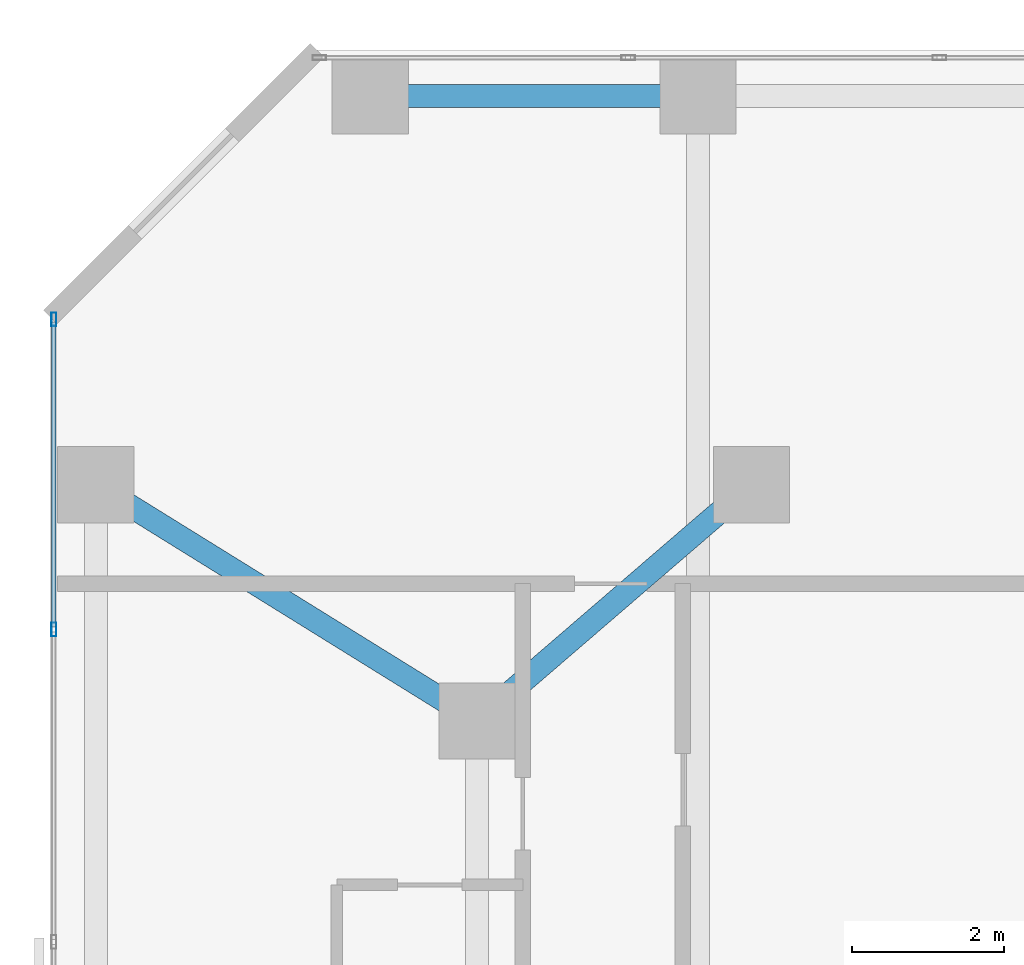
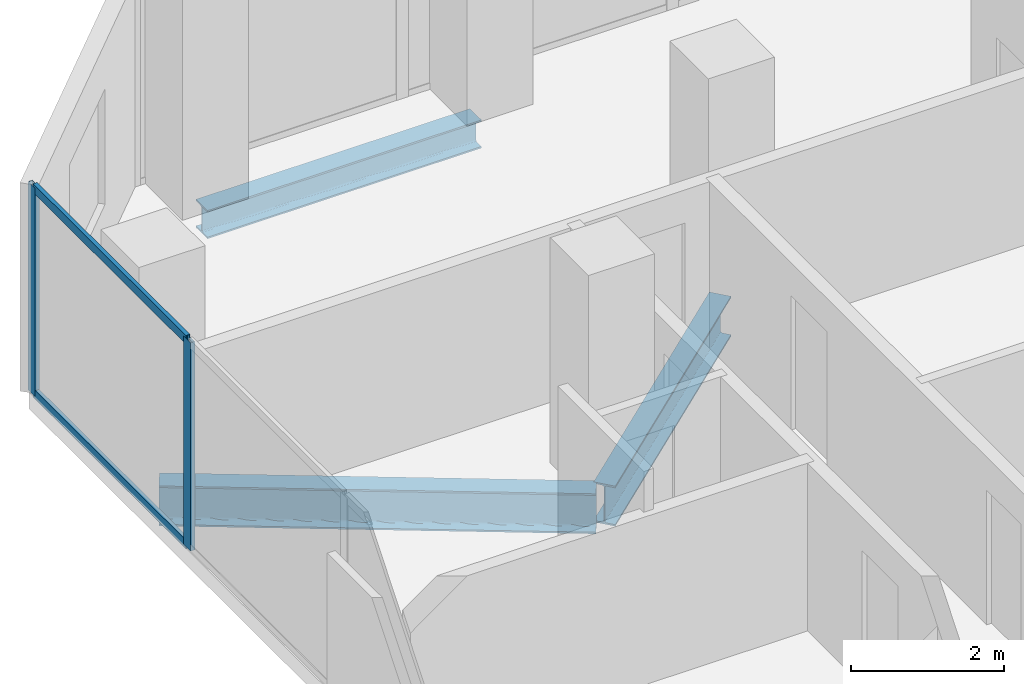
# One storey, part 18 of 32: 4 members, 3 beams, 1 element without a shape of its own.
"""IFC4 building model written with IfcOpenShell, lengths in metres."""

import ifcopenshell
import ifcopenshell.guid

model = None  # the IFC model being written
_history = None  # IfcOwnerHistory: only IFC2X3 demands one
_inside = {}  # id of a spatial element -> (the spatial element, [elements in it])
_under = {}  # id of a project, library or spatial element -> (it, [spatial elements below it])
_declared = {}  # id of a project -> (the project, [libraries it declares])
_typed = {}  # id of a type object -> (the type object, [elements of that type])
_made_of = {}  # id of a material, layer set ... -> (it, [elements and type objects made of it])


def new_model(schema):
    """Start an empty IFC model of exactly this schema.

    Asked for "IFC4X3", IfcOpenShell would pick the latest addendum, in which some entities
    have other attributes; the version numbers below select the first issue.
    IFC2X3 requires an IfcOwnerHistory on every rooted entity: one is made here for all.
    """
    global model, _history
    if schema == "IFC4X3":
        model = ifcopenshell.file(schema_version=(4, 3, 0, 0))
    else:
        model = ifcopenshell.file(schema=schema)
    _inside.clear()
    _under.clear()
    _declared.clear()
    _typed.clear()
    _made_of.clear()
    _history = None
    if model.schema == "IFC2X3":
        org = make("IfcOrganization", Name="unknown")
        user = make(
            "IfcPersonAndOrganization",
            ThePerson=make("IfcPerson", FamilyName="unknown"),
            TheOrganization=org,
        )
        app = make(
            "IfcApplication",
            ApplicationDeveloper=org,
            Version="unknown",
            ApplicationFullName="unknown",
            ApplicationIdentifier="unknown",
        )
        _history = make(
            "IfcOwnerHistory",
            OwningUser=user,
            OwningApplication=app,
            ChangeAction="ADDED",
            CreationDate=0,
        )
    return model


def make(cls, **values):
    """One entity of the class cls with the attributes given. An attribute that is None is left unset."""
    return model.create_entity(
        cls, **{name: value for name, value in values.items() if value is not None}
    )


def rooted(cls, **values):
    """An entity with a GlobalId (a new one), such as an element, a storey or a relation."""
    return make(cls, GlobalId=ifcopenshell.guid.new(), OwnerHistory=_history, **values)


def si_unit(unit_type, name, prefix=None):
    """IfcSIUnit, for example si_unit("LENGTHUNIT", "METRE", prefix="MILLI")."""
    return make("IfcSIUnit", UnitType=unit_type, Prefix=prefix, Name=name)


def assignment(units):
    """IfcUnitAssignment: the units of a project."""
    return None if units is None else make("IfcUnitAssignment", Units=units)


def point(xyz):
    """IfcCartesianPoint."""
    return None if xyz is None else make("IfcCartesianPoint", Coordinates=xyz)


def direction(xyz):
    """IfcDirection."""
    return None if xyz is None else make("IfcDirection", DirectionRatios=xyz)


def frame(location, z_axis=None, x_axis=None):
    """IfcAxis2Placement3D, a coordinate frame: its origin and axes. An axis left out is left unset."""
    return make(
        "IfcAxis2Placement3D",
        Location=point(location),
        Axis=direction(z_axis),
        RefDirection=direction(x_axis),
    )


def frame_2d(location, x_axis=None):
    """IfcAxis2Placement2D, a coordinate frame in the plane: its origin and x axis."""
    return make(
        "IfcAxis2Placement2D", Location=point(location), RefDirection=direction(x_axis)
    )


def origin():
    """The frame at (0, 0, 0) with its axes left unset."""
    return frame((0.0, 0.0, 0.0))


def origin_2d():
    """The frame at (0, 0) in the plane with its x axis left unset."""
    return frame_2d((0.0, 0.0))


def place(relative_to, where):
    """IfcLocalPlacement: puts the frame where relative to a parent placement (None: the world)."""
    return make(
        "IfcLocalPlacement", PlacementRelTo=relative_to, RelativePlacement=where
    )


def context(
    kind, dimensions, precision=None, world=None, true_north=None, identifier=None
):
    """IfcGeometricRepresentationContext, for example the 3D "Model" context."""
    return make(
        "IfcGeometricRepresentationContext",
        ContextIdentifier=identifier,
        ContextType=kind,
        CoordinateSpaceDimension=dimensions,
        Precision=precision,
        WorldCoordinateSystem=world,
        TrueNorth=true_north,
    )


def subcontext(parent, identifier, kind, view, scale=None):
    """IfcGeometricRepresentationSubContext, for example "Body" below "Model"."""
    return make(
        "IfcGeometricRepresentationSubContext",
        ContextIdentifier=identifier,
        ContextType=kind,
        ParentContext=parent,
        TargetScale=scale,
        TargetView=view,
    )


def project(units=None, contexts=None):
    """IfcProject with its units and contexts."""
    return rooted(
        "IfcProject",
        Name="project",
        RepresentationContexts=contexts,
        UnitsInContext=assignment(units),
    )


def spatial(cls, under=None, at=None, **own):
    """A site, building, storey or space (cls), placed at a placement, below another one or the project."""
    s = rooted(cls, ObjectPlacement=at, **own)
    if under is not None:
        _under.setdefault(under.id(), (under, []))[1].append(s)
    return s


def profile(cls, at=None, kind="AREA", **sizes):
    """A parametric profile (cls). Its sizes go by their IFC names, for example OverallWidth=200.0."""
    return make(cls, ProfileType=kind, Position=at, **sizes)


def hollow_rectangle(**sizes):
    """IfcRectangleHollowProfileDef."""
    return profile("IfcRectangleHollowProfileDef", **sizes)


def i_section(**sizes):
    """IfcIShapeProfileDef."""
    return profile("IfcIShapeProfileDef", **sizes)


def extrude(swept, where, along, depth):
    """IfcExtrudedAreaSolid: the profile swept, set in the frame where, extruded along a direction by depth."""
    return make(
        "IfcExtrudedAreaSolid",
        SweptArea=swept,
        Position=where,
        ExtrudedDirection=direction(along),
        Depth=depth,
    )


def shape(context_of_items, identifier, shape_type, items):
    """IfcShapeRepresentation: the items that make up one representation, for example the "Body"."""
    return make(
        "IfcShapeRepresentation",
        ContextOfItems=context_of_items,
        RepresentationIdentifier=identifier,
        RepresentationType=shape_type,
        Items=items,
    )


def material(Name=None, Category=None):
    """IfcMaterial."""
    return make("IfcMaterial", Name=Name, Category=Category)


def layer(
    of_material, thickness, ventilated=None, Name=None, Category=None, Priority=None
):
    """IfcMaterialLayer: one layer of a wall or slab, of a material (None: an air gap)."""
    return make(
        "IfcMaterialLayer",
        Material=of_material,
        LayerThickness=thickness,
        IsVentilated=ventilated,
        Name=Name,
        Category=Category,
        Priority=Priority,
    )


def layer_set(layers, Name=None):
    """IfcMaterialLayerSet."""
    return make("IfcMaterialLayerSet", MaterialLayers=layers, LayerSetName=Name)


def material_profile(
    of_material, cross_section, Name=None, Category=None, Priority=None
):
    """IfcMaterialProfile: a cross section and its material."""
    return make(
        "IfcMaterialProfile",
        Name=Name,
        Material=of_material,
        Profile=cross_section,
        Priority=Priority,
        Category=Category,
    )


def profile_set(profiles, Name=None, composite=None):
    """IfcMaterialProfileSet."""
    return make(
        "IfcMaterialProfileSet",
        Name=Name,
        MaterialProfiles=profiles,
        CompositeProfile=composite,
    )


def made_of(thing, what):
    """Note that an element or type object is made of a material, layer set ...; save() writes the relation."""
    if what is not None:
        _made_of.setdefault(what.id(), (what, []))[1].append(thing)
    return thing


def type_object(cls, material=None, **own):
    """A type object (cls), such as IfcWallType, which elements share."""
    return made_of(rooted(cls, **own), material)


def element(
    cls,
    number,
    at=None,
    inside=None,
    cuts=None,
    type_object=None,
    material=None,
    context=None,
    identifier="Body",
    shape_type=None,
    held_by="IfcProductDefinitionShape",
    body=None,
    shapes=None,
    **own,
):
    """One element of the class cls, such as IfcWall. Its Tag is "e" and its number.

    at: its placement. inside: the storey or other place that contains it. cuts: it is an
    opening in that element (IfcRelVoidsElement). A single representation is given by context,
    identifier, shape_type and body (its items); several are given by shapes. held_by: the class
    of the entity that holds the representations. save() writes the other relations.
    """
    e = rooted(cls, Tag="e%d" % number, ObjectPlacement=at, **own)
    if body is not None:
        shapes = [shape(context, identifier, shape_type, body)]
    if shapes is not None:
        e.Representation = make(held_by, Representations=shapes)
    if inside is not None:
        _inside.setdefault(inside.id(), (inside, []))[1].append(e)
    if cuts is not None:
        rooted(
            "IfcRelVoidsElement", RelatingBuildingElement=cuts, RelatedOpeningElement=e
        )
    if type_object is not None:
        _typed.setdefault(type_object.id(), (type_object, []))[1].append(e)
    return made_of(e, material)


def aggregate(whole, parts):
    """IfcRelAggregates: a whole, such as a stair, and the parts it consists of."""
    return rooted("IfcRelAggregates", RelatingObject=whole, RelatedObjects=parts)


def save(model, path):
    """Write the relations noted so far, then the file.

    IfcRelAggregates (storeys below a building ...), IfcRelContainedInSpatialStructure (elements
    in a storey), IfcRelDefinesByType, IfcRelAssociatesMaterial and IfcRelDeclares: one each for
    every whole, place, type object, material and project.
    """
    for whole, parts in _under.values():
        aggregate(whole, parts)
    for where, things in _inside.values():
        rooted(
            "IfcRelContainedInSpatialStructure",
            RelatedElements=things,
            RelatingStructure=where,
        )
    for kind, things in _typed.values():
        rooted("IfcRelDefinesByType", RelatedObjects=things, RelatingType=kind)
    for what, things in _made_of.values():
        rooted("IfcRelAssociatesMaterial", RelatedObjects=things, RelatingMaterial=what)
    for by, libraries in _declared.values():
        rooted("IfcRelDeclares", RelatingContext=by, RelatedDefinitions=libraries)
    model.write(path)


model = new_model("IFC4")

# Units and contexts
model_context = context("Model", 3, precision=1e-05, world=origin(), true_north=direction((0.0, 1.0)))
body_context = subcontext(model_context, "Body", "Model", "MODEL_VIEW")
ifc_project = project(units=[si_unit("LENGTHUNIT", "METRE"), si_unit("AREAUNIT", "SQUARE_METRE"), si_unit("VOLUMEUNIT", "CUBIC_METRE"), si_unit("PLANEANGLEUNIT", "RADIAN"), si_unit("MASSUNIT", "GRAM", prefix="KILO")], contexts=[model_context])

# Site, building, storey
site_placement = place(None, origin())
site = spatial("IfcSite", under=ifc_project, at=site_placement, CompositionType="ELEMENT")
building_placement = place(site_placement, origin())
building = spatial("IfcBuilding", under=site, at=building_placement, Name="Catumbela Crestline Tower", CompositionType="ELEMENT")
storey_placement = place(building_placement, frame((0.0, 0.0, 33.0)))
storey = spatial("IfcBuildingStorey", under=building, at=storey_placement, Name="L07", CompositionType="ELEMENT", Elevation=33.0)

# Beams
ifc_material_1 = material(Name="Structural steel S355J2", Category="steel")
ifc_material_profile_1 = material_profile(ifc_material_1, i_section(OverallWidth=0.3, OverallDepth=0.64, WebThickness=0.0135, FlangeThickness=0.026, FilletRadius=0.027, at=origin_2d()), Name="HEA 650")
ifc_profile_set_1 = profile_set([ifc_material_profile_1], Name="Structural steel S355J2")
beam_type_1 = type_object("IfcBeamType", Name="BG-HEA650", PredefinedType="BEAM", material=ifc_profile_set_1)
beam_1_placement = place(storey_placement, frame((0.668, 42.2578, -0.58), z_axis=(0.849908952007, -0.526929571479, 0.0), x_axis=(0.526929571479, 0.849908952007, 0.0)))
element("IfcBeam", 1, at=beam_1_placement, inside=storey, type_object=beam_type_1, Name="L07 Beam BM-L07-N13", PredefinedType="BEAM", context=body_context, shape_type="SweptSolid", body=[
    extrude(i_section(OverallWidth=0.3, OverallDepth=0.64, WebThickness=0.0135, FlangeThickness=0.026, FilletRadius=0.027, at=origin_2d()), origin(), (0.0, 0.0, 1.0), 5.723),
])
beam_2_placement = place(storey_placement, frame((5.6606, 39.2522, -0.58), z_axis=(0.757772392559, 0.652518966066, 0.0), x_axis=(-0.652518966066, 0.757772392559, 0.0)))
element("IfcBeam", 2, at=beam_2_placement, inside=storey, type_object=beam_type_1, Name="L07 Beam BM-L07-N14", PredefinedType="BEAM", context=body_context, shape_type="SweptSolid", body=[
    extrude(i_section(OverallWidth=0.3, OverallDepth=0.64, WebThickness=0.0135, FlangeThickness=0.026, FilletRadius=0.027, at=origin_2d()), origin(), (0.0, 0.0, 1.0), 4.5908),
])

# Curtain wall, members
ifc_material_2 = material(Name="Aluminium alloy AW-6060-T66", Category="aluminium")
ifc_layer = layer(ifc_material_2, 0.18, Name="Aluminium alloy AW-6060-T66")
ifc_layer_set = layer_set([ifc_layer], Name="Aluminium alloy AW-6060-T66")
curtain_wall_type = type_object("IfcCurtainWallType", Name="CWU-Z1", PredefinedType="USERDEFINED", material=ifc_layer_set)
curtain_wall_placement = place(storey_placement, origin())
curtain_wall = element("IfcCurtainWall", 3, at=curtain_wall_placement, inside=storey, type_object=curtain_wall_type, Name="L07 Unitised Curtain Wall CW-L07-E9S1", ObjectType="UNITISED", PredefinedType="USERDEFINED")
ifc_material_profile_2 = material_profile(ifc_material_2, hollow_rectangle(XDim=0.065, YDim=0.18, WallThickness=0.004, at=origin_2d()), Name="ALU 180x65x4")
ifc_profile_set_2 = profile_set([ifc_material_profile_2], Name="Aluminium alloy AW-6060-T66")
member_type_1 = type_object("IfcMemberType", Name="MUL-180X65", PredefinedType="MULLION", material=ifc_profile_set_2)
member_1_placement = place(storey_placement, frame((0.05, 44.4675, 0.0), z_axis=(0.0, 0.0, 1.0), x_axis=(1.0, 0.0, 0.0)))
member_1 = element("IfcMember", 4, at=member_1_placement, type_object=member_type_1, Name="CWU-Z1 mullion 1", PredefinedType="MULLION", context=body_context, shape_type="SweptSolid", body=[
    extrude(hollow_rectangle(XDim=0.065, YDim=0.18, WallThickness=0.004, at=origin_2d()), origin(), (0.0, 0.0, 1.0), 3.33),
])
member_2_placement = place(storey_placement, frame((0.05, 40.4, 0.0), z_axis=(0.0, 0.0, 1.0), x_axis=(1.0, 0.0, 0.0)))
member_2 = element("IfcMember", 5, at=member_2_placement, type_object=member_type_1, Name="CWU-Z1 mullion 2", PredefinedType="MULLION", context=body_context, shape_type="SweptSolid", body=[
    extrude(hollow_rectangle(XDim=0.065, YDim=0.18, WallThickness=0.004, at=origin_2d()), origin(), (0.0, 0.0, 1.0), 3.33),
])

# Beam
ifc_material_profile_3 = material_profile(ifc_material_1, i_section(OverallWidth=0.3, OverallDepth=0.45, WebThickness=0.014, FlangeThickness=0.026, FilletRadius=0.027, at=origin_2d()), Name="HEB 450")
ifc_profile_set_3 = profile_set([ifc_material_profile_3], Name="Structural steel S355J2")
beam_type_2 = type_object("IfcBeamType", Name="BS-HEB450", PredefinedType="SPANDREL", material=ifc_profile_set_3)
beam_3_placement = place(storey_placement, frame((4.28, 47.4, -0.485), z_axis=(1.0, 0.0, 0.0), x_axis=(0.0, 1.0, 0.0)))
element("IfcBeam", 6, at=beam_3_placement, inside=storey, type_object=beam_type_2, Name="L07 Spandrel SP-L07-NF19", PredefinedType="SPANDREL", context=body_context, shape_type="SweptSolid", body=[
    extrude(i_section(OverallWidth=0.3, OverallDepth=0.45, WebThickness=0.014, FlangeThickness=0.026, FilletRadius=0.027, at=origin_2d()), origin(), (0.0, 0.0, 1.0), 4.14),
])

# Member
ifc_material_profile_4 = material_profile(ifc_material_2, hollow_rectangle(XDim=0.06, YDim=0.14, WallThickness=0.004, at=origin_2d()), Name="ALU 140x60x4")
ifc_profile_set_4 = profile_set([ifc_material_profile_4], Name="Aluminium alloy AW-6060-T66")
member_type_2 = type_object("IfcMemberType", Name="TRN-140X60", PredefinedType="USERDEFINED", material=ifc_profile_set_4)
member_3_placement = place(storey_placement, frame((0.05, 44.435, 0.03), z_axis=(0.0, -1.0, 0.0), x_axis=(1.0, 0.0, 0.0)))
member_3 = element("IfcMember", 7, at=member_3_placement, type_object=member_type_2, Name="CWU-Z1 transom 1.1", ObjectType="TRANSOM", PredefinedType="USERDEFINED", context=body_context, shape_type="SweptSolid", body=[
    extrude(hollow_rectangle(XDim=0.06, YDim=0.14, WallThickness=0.004, at=origin_2d()), origin(), (0.0, 0.0, 1.0), 4.0025),
])

member_4_placement = place(storey_placement, frame((0.05, 44.435, 3.3), z_axis=(0.0, -1.0, 0.0), x_axis=(1.0, 0.0, 0.0)))
member_4 = element("IfcMember", 8, at=member_4_placement, type_object=member_type_2, Name="CWU-Z1 transom 1.2", ObjectType="TRANSOM", PredefinedType="USERDEFINED", context=body_context, shape_type="SweptSolid", body=[
    extrude(hollow_rectangle(XDim=0.06, YDim=0.14, WallThickness=0.004, at=origin_2d()), origin(), (0.0, 0.0, 1.0), 4.0025),
])

aggregate(curtain_wall, [member_1, member_2, member_3, member_4])

save(model, "model.ifc")
